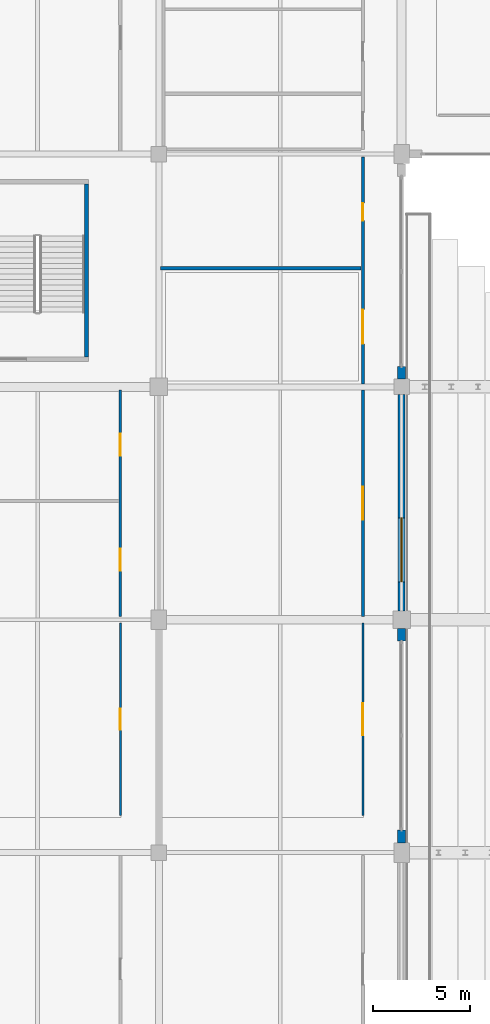
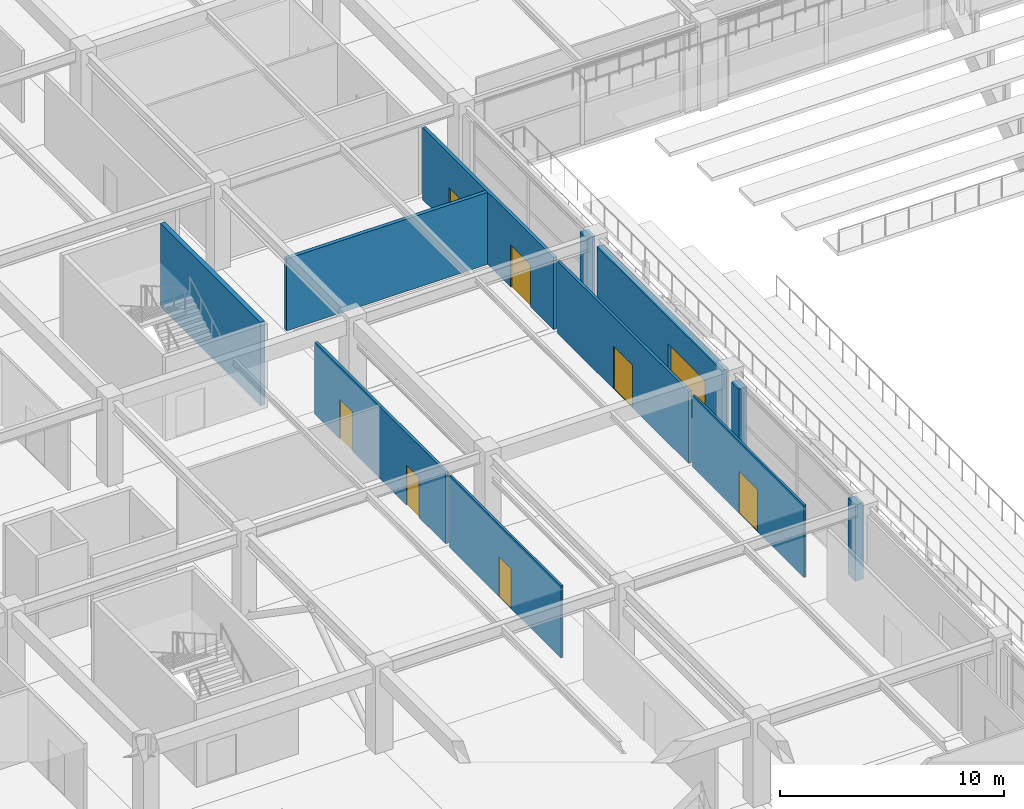
# One storey, part 82 of 134: 11 walls, 7 doors, 1 window, 8 openings.
"""IFC4 building model written with IfcOpenShell, lengths in metres."""

from ifc_helpers import new_model, si_unit, direction, frame, frame_2d, origin, place, context, subcontext, project, spatial, rectangle, extrude, material, layer, layer_set, type_object, element, fill, save


model = new_model("IFC4")

# Units and contexts
model_context = context("Model", 3, precision=1e-05, world=origin(), true_north=direction((0.0, 1.0)))
body_context = subcontext(model_context, "Body", "Model", "MODEL_VIEW")
ifc_project = project(units=[si_unit("LENGTHUNIT", "METRE"), si_unit("AREAUNIT", "SQUARE_METRE"), si_unit("VOLUMEUNIT", "CUBIC_METRE"), si_unit("PLANEANGLEUNIT", "RADIAN"), si_unit("MASSUNIT", "GRAM", prefix="KILO")], contexts=[model_context])

# Site, building, storey
site_placement = place(None, origin())
site = spatial("IfcSite", under=ifc_project, at=site_placement, CompositionType="ELEMENT")
building_placement = place(site_placement, origin())
building = spatial("IfcBuilding", under=site, at=building_placement, Name="Kazenohara Klinker Stadium", CompositionType="ELEMENT")
storey_placement = place(building_placement, frame((0.0, 0.0, 5.39990234375)))
storey = spatial("IfcBuildingStorey", under=building, at=storey_placement, Name="L01", CompositionType="ELEMENT", Elevation=5.39990234375)

# Wall
ifc_material_1 = material(Name="Concrete C40/50", Category="concrete")
ifc_layer_1 = layer(ifc_material_1, 0.22998046875)
ifc_layer_set_1 = layer_set([ifc_layer_1], Name="Concrete C40/50")
wall_type_1 = type_object("IfcWallType", Name="WAL-CORE-230", PredefinedType="SHEAR", material=ifc_layer_set_1)
wall_1_placement = place(storey_placement, frame((32.764892578125, 121.550048828125, 0.0), z_axis=(0.0, 0.0, 1.0), x_axis=(0.0, 1.0, 0.0)))
element("IfcWall", 1, at=wall_1_placement, inside=storey, type_object=wall_type_1, Name="Stairwell shear wall ST18 L01 East", PredefinedType="SHEAR", context=body_context, shape_type="SweptSolid", body=[
    extrude(rectangle(XDim=8.89990234375, YDim=0.22998046875, at=frame_2d((4.449951171875, 0.0))), origin(), (0.0, 0.0, 1.0), 4.550048828125),
])

# Wall, opening, window
ifc_material_2 = material(Name="Clinker brick masonry", Category="masonry")
ifc_layer_2 = layer(ifc_material_2, 0.340087890625)
ifc_layer_set_2 = layer_set([ifc_layer_2], Name="Clinker brick masonry")
wall_type_2 = type_object("IfcWallType", Name="WAL-EXT-CB340", PredefinedType="SOLIDWALL", material=ifc_layer_set_2)
wall_2_placement = place(storey_placement, frame((49.0, 108.4541015625, 0.0), z_axis=(0.0, 0.0, 1.0), x_axis=(0.0, 1.0, 0.0)))
wall_2 = element("IfcWall", 2, at=wall_2_placement, inside=storey, type_object=wall_type_2, Name="Clinker brick cavity wall EW04 L01 Y4-9", PredefinedType="SOLIDWALL", context=body_context, shape_type="SweptSolid", body=[
    extrude(rectangle(XDim=11.141845703125, YDim=0.340087890625, at=frame_2d((5.57080078125, 0.0))), origin(), (0.0, 0.0, 1.0), 4.2001953125),
])
opening_1_placement = place(wall_2_placement, frame((1.5, 0.0, 0.949951171875)))
opening_1 = element("IfcOpeningElement", 3, at=opening_1_placement, cuts=wall_2, Name="Opening W33", PredefinedType="OPENING", context=body_context, shape_type="SweptSolid", body=[
    extrude(rectangle(XDim=3.300048828125, YDim=1.800048828125, at=frame_2d((1.64990234375, 0.89990234375))), frame((0.0, 0.18017578125, 0.0), z_axis=(0.0, -1.0, 0.0), x_axis=(1.0, 0.0, 0.0)), (0.0, 0.0, 1.0), 0.360107421875),
])
ifc_material_3 = material(Name="Dark bronze aluminium frame and triple glazing", Category="aluminium")
window_type = type_object("IfcWindowType", Name="WIN-AS-33", PartitioningType="SINGLE_PANEL", PredefinedType="WINDOW", material=ifc_material_3)
window_placement = place(opening_1_placement, origin())
window = element("IfcWindow", 4, at=window_placement, inside=storey, type_object=window_type, Name="Horizontal-mullion ladder window W33 L01 Y4-9", OverallHeight=1.800048828125, OverallWidth=3.300048828125, PartitioningType="SINGLE_PANEL", PredefinedType="WINDOW", context=body_context, shape_type="SweptSolid", body=[
    extrude(rectangle(XDim=3.300048828125, YDim=1.800048828125, at=frame_2d((1.64990234375, 0.89990234375))), frame((0.0, 0.030029296875, 0.0), z_axis=(0.0, -1.0, 0.0), x_axis=(1.0, 0.0, 0.0)), (0.0, 0.0, 1.0), 0.06005859375),
])
fill(opening_1, window)

# Walls
ifc_layer_3 = layer(ifc_material_2, 0.409912109375)
ifc_layer_set_3 = layer_set([ifc_layer_3], Name="Clinker brick masonry")
wall_type_3 = type_object("IfcWallType", Name="WAL-EXT-CB410", PredefinedType="SOLIDWALL", material=ifc_layer_set_3)
wall_3_placement = place(storey_placement, frame((49.0, 96.50390625, 0.0), z_axis=(0.0, 0.0, 1.0), x_axis=(0.0, 1.0, 0.0)))
element("IfcWall", 5, at=wall_3_placement, inside=storey, type_object=wall_type_3, Name="Clinker brick curtain-wall jamb pier L01 Y4-8 A", PredefinedType="SOLIDWALL", context=body_context, shape_type="SweptSolid", body=[
    extrude(rectangle(XDim=0.650146484375, YDim=0.409912109375, at=frame_2d((0.3251953125, 0.0))), origin(), (0.0, 0.0, 1.0), 4.150146484375),
])
for number, where, z_axis, x_axis, name in (
    (6, (49.0, 106.89599609375, 0.0), (0.0, 0.0, 1.0), (0.0, 1.0, 0.0), "Clinker brick curtain-wall jamb pier L01 Y4-8 B"),
    (7, (49.0, 120.404052734375, 0.0), (0.0, 0.0, 1.0), (0.0, 1.0, 0.0), "Clinker brick curtain-wall jamb pier L01 Y4-10 A"),
):
    element("IfcWall", number, at=place(storey_placement, frame(where, z_axis=z_axis, x_axis=x_axis)), inside=storey, type_object=wall_type_3, Name=name, PredefinedType="SOLIDWALL", context=body_context, shape_type="SweptSolid", body=[
        extrude(rectangle(XDim=0.64990234375, YDim=0.409912109375, at=frame_2d((0.324951171875, 0.0))), origin(), (0.0, 0.0, 1.0), 4.150146484375),
    ])

# Wall, opening, door
ifc_material_4 = material(Name="Fire-rated gypsum board on acoustic studs", Category="gypsum")
ifc_layer_4 = layer(ifc_material_4, 0.110107421875)
ifc_layer_set_4 = layer_set([ifc_layer_4], Name="Fire-rated gypsum board on acoustic studs")
wall_type_4 = type_object("IfcWallType", Name="WAL-INT-P110", PredefinedType="PARTITIONING", material=ifc_layer_set_4)
wall_4_placement = place(storey_placement, frame((34.510009765625, 97.919921875, 0.0), z_axis=(0.0, 0.0, 1.0), x_axis=(0.0, 1.0, 0.0)))
wall_4 = element("IfcWall", 8, at=wall_4_placement, inside=storey, type_object=wall_type_4, Name="Interior partition wall PT01 SPC-L01-02-08-1-1", PredefinedType="PARTITIONING", context=body_context, shape_type="SweptSolid", body=[
    extrude(rectangle(XDim=9.920166015625, YDim=0.110107421875, at=frame_2d((4.9599609375, 0.0))), origin(), (0.0, 0.0, 1.0), 3.920166015625),
])
opening_2_placement = place(wall_4_placement, frame((4.4150390625, 0.0, 0.0)))
opening_2 = element("IfcOpeningElement", 9, at=opening_2_placement, cuts=wall_4, Name="Opening ID08", PredefinedType="OPENING", context=body_context, shape_type="SweptSolid", body=[
    extrude(rectangle(XDim=1.090087890625, YDim=2.159912109375, at=frame_2d((0.544921875, 1.080078125))), frame((0.0, 0.06494140625, 0.0), z_axis=(0.0, -1.0, 0.0), x_axis=(1.0, 0.0, 0.0)), (0.0, 0.0, 1.0), 0.130126953125),
])
ifc_material_5 = material(Name="Solid-core Hokkaido oak fire door", Category="wood")
door_type_1 = type_object("IfcDoorType", Name="DR-INT-08", OperationType="NOTDEFINED", PredefinedType="DOOR", material=ifc_material_5)
door_1_placement = place(opening_2_placement, origin())
door_1 = element("IfcDoor", 10, at=door_1_placement, inside=storey, type_object=door_type_1, Name="Interior door ID08 Spectator First-Aid Medical Clinic L01-0208A", OperationType="SINGLE_SWING_LEFT", OverallHeight=2.159912109375, OverallWidth=1.090087890625, PredefinedType="DOOR", context=body_context, shape_type="SweptSolid", body=[
    extrude(rectangle(XDim=1.090087890625, YDim=2.159912109375, at=frame_2d((0.544921875, 1.080078125))), frame((0.0, 0.02490234375, 0.0), z_axis=(0.0, -1.0, 0.0), x_axis=(1.0, 0.0, 0.0)), (0.0, 0.0, 1.0), 0.050048828125),
])
fill(opening_2, door_1)

wall_5_placement = place(storey_placement, frame((47.010009765625, 97.919921875, 0.0), z_axis=(0.0, 0.0, 1.0), x_axis=(0.0, 1.0, 0.0)))
wall_5 = element("IfcWall", 11, at=wall_5_placement, inside=storey, type_object=wall_type_4, Name="Interior partition wall PT01 SPC-L01-03-08-1-1", PredefinedType="PARTITIONING", context=body_context, shape_type="SweptSolid", body=[
    extrude(rectangle(XDim=9.920166015625, YDim=0.110107421875, at=frame_2d((4.9599609375, 0.0))), origin(), (0.0, 0.0, 1.0), 3.920166015625),
])
opening_3_placement = place(wall_5_placement, frame((4.135009765625, 0.0, 0.0)))
opening_3 = element("IfcOpeningElement", 12, at=opening_3_placement, cuts=wall_5, Name="Opening ID24", PredefinedType="OPENING", context=body_context, shape_type="SweptSolid", body=[
    extrude(rectangle(XDim=1.64990234375, YDim=2.280029296875, at=frame_2d((0.824951171875, 1.14013671875))), frame((0.0, 0.06494140625, 0.0), z_axis=(0.0, -1.0, 0.0), x_axis=(1.0, 0.0, 0.0)), (0.0, 0.0, 1.0), 0.130126953125),
])
ifc_material_6 = material(Name="Painted steel plant fire door", Category="steel")
door_type_2 = type_object("IfcDoorType", Name="DR-INT-24", OperationType="NOTDEFINED", PredefinedType="DOOR", material=ifc_material_6)
door_2_placement = place(opening_3_placement, origin())
door_2 = element("IfcDoor", 13, at=door_2_placement, inside=storey, type_object=door_type_2, Name="Interior door ID24 Spectator First-Aid Medical Clinic L01-0308A", OperationType="SINGLE_SWING_LEFT", OverallHeight=2.280029296875, OverallWidth=1.64990234375, PredefinedType="DOOR", context=body_context, shape_type="SweptSolid", body=[
    extrude(rectangle(XDim=1.64990234375, YDim=2.280029296875, at=frame_2d((0.824951171875, 1.14013671875))), frame((0.0, 0.02490234375, 0.0), z_axis=(0.0, -1.0, 0.0), x_axis=(1.0, 0.0, 0.0)), (0.0, 0.0, 1.0), 0.050048828125),
])
fill(opening_3, door_2)

# Wall, openings, doors
ifc_layer_5 = layer(ifc_material_4, 0.139892578125)
ifc_layer_set_5 = layer_set([ifc_layer_5], Name="Fire-rated gypsum board on acoustic studs")
wall_type_5 = type_object("IfcWallType", Name="WAL-INT-P140", PredefinedType="PARTITIONING", material=ifc_layer_set_5)
wall_6_placement = place(storey_placement, frame((34.510009765625, 108.159912109375, 0.0), z_axis=(0.0, 0.0, 1.0), x_axis=(0.0, 1.0, 0.0)))
wall_6 = element("IfcWall", 14, at=wall_6_placement, inside=storey, type_object=wall_type_5, Name="Interior partition wall PT03 SPC-L01-02-09-1-1", PredefinedType="PARTITIONING", context=body_context, shape_type="SweptSolid", body=[
    extrude(rectangle(XDim=11.68017578125, YDim=0.139892578125, at=frame_2d((5.840087890625, 0.0))), origin(), (0.0, 0.0, 1.0), 3.920166015625),
])
opening_4_placement = place(wall_6_placement, frame((2.37841796875, 0.0, 0.0)))
opening_4 = element("IfcOpeningElement", 15, at=opening_4_placement, cuts=wall_6, Name="Opening ID09", PredefinedType="OPENING", context=body_context, shape_type="SweptSolid", body=[
    extrude(rectangle(XDim=1.1201171875, YDim=2.179931640625, at=frame_2d((0.56005859375, 1.08984375))), frame((0.0, 0.080078125, 0.0), z_axis=(0.0, -1.0, 0.0), x_axis=(1.0, 0.0, 0.0)), (0.0, 0.0, 1.0), 0.159912109375),
])
opening_5_placement = place(wall_6_placement, frame((8.283447265625, 0.0, 0.0)))
opening_5 = element("IfcOpeningElement", 16, at=opening_5_placement, cuts=wall_6, Name="Opening ID10", PredefinedType="OPENING", context=body_context, shape_type="SweptSolid", body=[
    extrude(rectangle(XDim=1.14990234375, YDim=2.14990234375, at=frame_2d((0.574951171875, 1.074951171875))), frame((0.0, 0.080078125, 0.0), z_axis=(0.0, -1.0, 0.0), x_axis=(1.0, 0.0, 0.0)), (0.0, 0.0, 1.0), 0.159912109375),
])
door_type_3 = type_object("IfcDoorType", Name="DR-INT-09", OperationType="NOTDEFINED", PredefinedType="DOOR", material=ifc_material_5)
door_3_placement = place(opening_4_placement, origin())
door_3 = element("IfcDoor", 17, at=door_3_placement, inside=storey, type_object=door_type_3, Name="Interior door ID09 Supporter Scarf and Jersey Retail Shop L01-0209A", OperationType="SINGLE_SWING_RIGHT", OverallHeight=2.179931640625, OverallWidth=1.1201171875, PredefinedType="DOOR", context=body_context, shape_type="SweptSolid", body=[
    extrude(rectangle(XDim=1.1201171875, YDim=2.179931640625, at=frame_2d((0.56005859375, 1.08984375))), frame((0.0, 0.02490234375, 0.0), z_axis=(0.0, -1.0, 0.0), x_axis=(1.0, 0.0, 0.0)), (0.0, 0.0, 1.0), 0.050048828125),
])
fill(opening_4, door_3)
door_type_4 = type_object("IfcDoorType", Name="DR-INT-10", OperationType="NOTDEFINED", PredefinedType="DOOR", material=ifc_material_5)
door_4_placement = place(opening_5_placement, origin())
door_4 = element("IfcDoor", 18, at=door_4_placement, inside=storey, type_object=door_type_4, Name="Interior door ID10 Family Sensory Hospitality Lounge L01-0209B", OperationType="SINGLE_SWING_LEFT", OverallHeight=2.14990234375, OverallWidth=1.14990234375, PredefinedType="DOOR", context=body_context, shape_type="SweptSolid", body=[
    extrude(rectangle(XDim=1.14990234375, YDim=2.14990234375, at=frame_2d((0.574951171875, 1.074951171875))), frame((0.0, 0.02490234375, 0.0), z_axis=(0.0, -1.0, 0.0), x_axis=(1.0, 0.0, 0.0)), (0.0, 0.0, 1.0), 0.050048828125),
])
fill(opening_5, door_4)

# Wall, opening, door
wall_7_placement = place(storey_placement, frame((47.010009765625, 108.159912109375, 0.0), z_axis=(0.0, 0.0, 1.0), x_axis=(0.0, 1.0, 0.0)))
wall_7 = element("IfcWall", 19, at=wall_7_placement, inside=storey, type_object=wall_type_5, Name="Interior partition wall PT03 SPC-L01-03-09-1-1", PredefinedType="PARTITIONING", context=body_context, shape_type="SweptSolid", body=[
    extrude(rectangle(XDim=11.68017578125, YDim=0.139892578125, at=frame_2d((5.840087890625, 0.0))), origin(), (0.0, 0.0, 1.0), 3.920166015625),
])
opening_6_placement = place(wall_7_placement, frame((4.989990234375, 0.0, 0.0)))
opening_6 = element("IfcOpeningElement", 20, at=opening_6_placement, cuts=wall_7, Name="Opening ID25", PredefinedType="OPENING", context=body_context, shape_type="SweptSolid", body=[
    extrude(rectangle(XDim=1.699951171875, YDim=2.320068359375, at=frame_2d((0.85009765625, 1.16015625))), frame((0.0, 0.080078125, 0.0), z_axis=(0.0, -1.0, 0.0), x_axis=(1.0, 0.0, 0.0)), (0.0, 0.0, 1.0), 0.159912109375),
])
door_type_5 = type_object("IfcDoorType", Name="DR-INT-25", OperationType="NOTDEFINED", PredefinedType="DOOR", material=ifc_material_6)
door_5_placement = place(opening_6_placement, origin())
door_5 = element("IfcDoor", 21, at=door_5_placement, inside=storey, type_object=door_type_5, Name="Interior door ID25 Family Sensory Hospitality Lounge L01-0309A", OperationType="SINGLE_SWING_RIGHT", OverallHeight=2.320068359375, OverallWidth=1.699951171875, PredefinedType="DOOR", context=body_context, shape_type="SweptSolid", body=[
    extrude(rectangle(XDim=1.699951171875, YDim=2.320068359375, at=frame_2d((0.85009765625, 1.16015625))), frame((0.0, 0.02490234375, 0.0), z_axis=(0.0, -1.0, 0.0), x_axis=(1.0, 0.0, 0.0)), (0.0, 0.0, 1.0), 0.050048828125),
])
fill(opening_6, door_5)

# Wall, openings, doors
ifc_layer_6 = layer(ifc_material_4, 0.169921875)
ifc_layer_set_6 = layer_set([ifc_layer_6], Name="Fire-rated gypsum board on acoustic studs")
wall_type_6 = type_object("IfcWallType", Name="WAL-INT-P170", PredefinedType="PARTITIONING", material=ifc_layer_set_6)
wall_8_placement = place(storey_placement, frame((47.010009765625, 120.159912109375, 0.0), z_axis=(0.0, 0.0, 1.0), x_axis=(0.0, 1.0, 0.0)))
wall_8 = element("IfcWall", 22, at=wall_8_placement, inside=storey, type_object=wall_type_6, Name="Interior partition wall PT05 SPC-L01-03-10-1-1", PredefinedType="PARTITIONING", context=body_context, shape_type="SweptSolid", body=[
    extrude(rectangle(XDim=11.68017578125, YDim=0.169921875, at=frame_2d((5.840087890625, 0.0))), origin(), (0.0, 0.0, 1.0), 3.920166015625),
])
opening_7_placement = place(wall_8_placement, frame((2.058349609375, 0.0, 0.0)))
opening_7 = element("IfcOpeningElement", 23, at=opening_7_placement, cuts=wall_8, Name="Opening ID26", PredefinedType="OPENING", context=body_context, shape_type="SweptSolid", body=[
    extrude(rectangle(XDim=1.760009765625, YDim=2.300048828125, at=frame_2d((0.8798828125, 1.14990234375))), frame((0.0, 0.094970703125, 0.0), z_axis=(0.0, -1.0, 0.0), x_axis=(1.0, 0.0, 0.0)), (0.0, 0.0, 1.0), 0.18994140625),
])
opening_8_placement = place(wall_8_placement, frame((8.408447265625, 0.0, 0.0)))
opening_8 = element("IfcOpeningElement", 24, at=opening_8_placement, cuts=wall_8, Name="Opening ID01", PredefinedType="OPENING", context=body_context, shape_type="SweptSolid", body=[
    extrude(rectangle(XDim=0.89990234375, YDim=2.06005859375, at=frame_2d((0.449951171875, 1.030029296875))), frame((0.0, 0.094970703125, 0.0), z_axis=(0.0, -1.0, 0.0), x_axis=(1.0, 0.0, 0.0)), (0.0, 0.0, 1.0), 0.18994140625),
])
door_type_6 = type_object("IfcDoorType", Name="DR-INT-01", OperationType="NOTDEFINED", PredefinedType="DOOR", material=ifc_material_5)
door_6_placement = place(opening_8_placement, origin())
door_6 = element("IfcDoor", 25, at=door_6_placement, inside=storey, type_object=door_type_6, Name="Interior door ID01 Community Martial Arts Fitness Studio L01-0310B", OperationType="SINGLE_SWING_RIGHT", OverallHeight=2.06005859375, OverallWidth=0.89990234375, PredefinedType="DOOR", context=body_context, shape_type="SweptSolid", body=[
    extrude(rectangle(XDim=0.89990234375, YDim=2.06005859375, at=frame_2d((0.449951171875, 1.030029296875))), frame((0.0, 0.02490234375, 0.0), z_axis=(0.0, -1.0, 0.0), x_axis=(1.0, 0.0, 0.0)), (0.0, 0.0, 1.0), 0.050048828125),
])
fill(opening_8, door_6)
door_type_7 = type_object("IfcDoorType", Name="DR-INT-26", OperationType="NOTDEFINED", PredefinedType="DOOR", material=ifc_material_6)
door_7_placement = place(opening_7_placement, origin())
door_7 = element("IfcDoor", 26, at=door_7_placement, inside=storey, type_object=door_type_7, Name="Interior door ID26 Youth Sports Coaching Classroom L01-0310A", OperationType="SINGLE_SWING_LEFT", OverallHeight=2.300048828125, OverallWidth=1.760009765625, PredefinedType="DOOR", context=body_context, shape_type="SweptSolid", body=[
    extrude(rectangle(XDim=1.760009765625, YDim=2.300048828125, at=frame_2d((0.8798828125, 1.14990234375))), frame((0.0, 0.02490234375, 0.0), z_axis=(0.0, -1.0, 0.0), x_axis=(1.0, 0.0, 0.0)), (0.0, 0.0, 1.0), 0.050048828125),
])
fill(opening_7, door_7)

# Wall
ifc_layer_7 = layer(ifc_material_4, 0.18994140625)
ifc_layer_set_7 = layer_set([ifc_layer_7], Name="Fire-rated gypsum board on acoustic studs")
wall_type_7 = type_object("IfcWallType", Name="WAL-INT-P190", PredefinedType="PARTITIONING", material=ifc_layer_set_7)
wall_9_placement = place(storey_placement, frame((36.580078125, 126.11669921875, 0.0), z_axis=(0.0, 0.0, 1.0), x_axis=(1.0, 0.0, 0.0)))
element("IfcWall", 27, at=wall_9_placement, inside=storey, type_object=wall_type_7, Name="Interior partition wall PT06 SPC-L01-03-10-1-2", PredefinedType="PARTITIONING", context=body_context, shape_type="SweptSolid", body=[
    extrude(rectangle(XDim=10.33984375, YDim=0.18994140625, at=frame_2d((5.169921875, 0.0))), origin(), (0.0, 0.0, 1.0), 3.920166015625),
])

save(model, "model.ifc")
